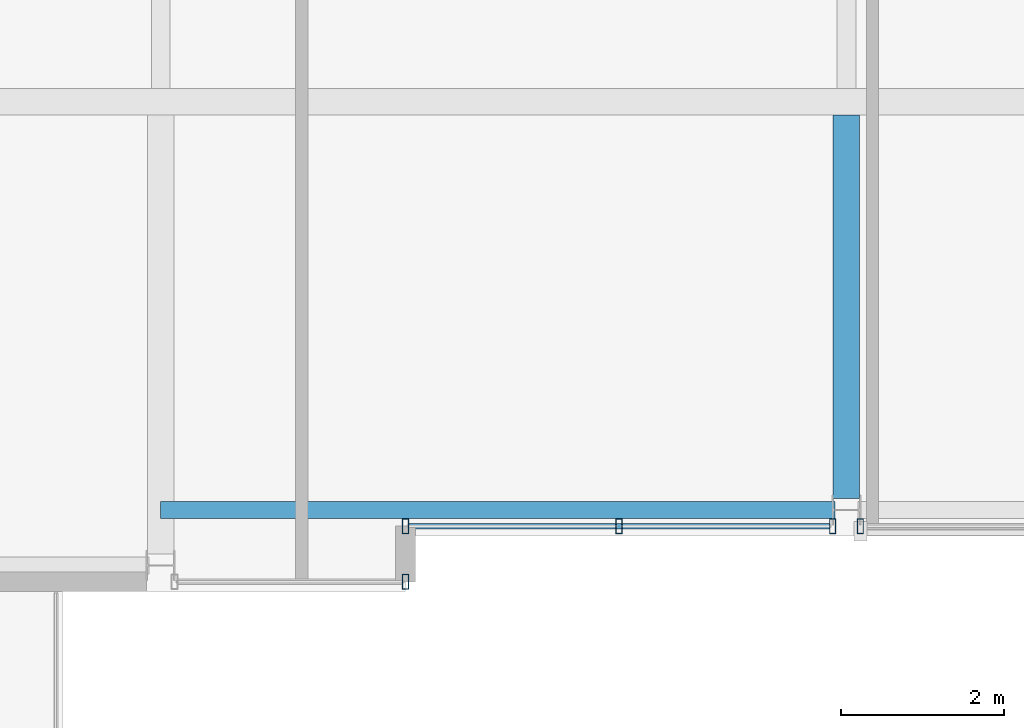
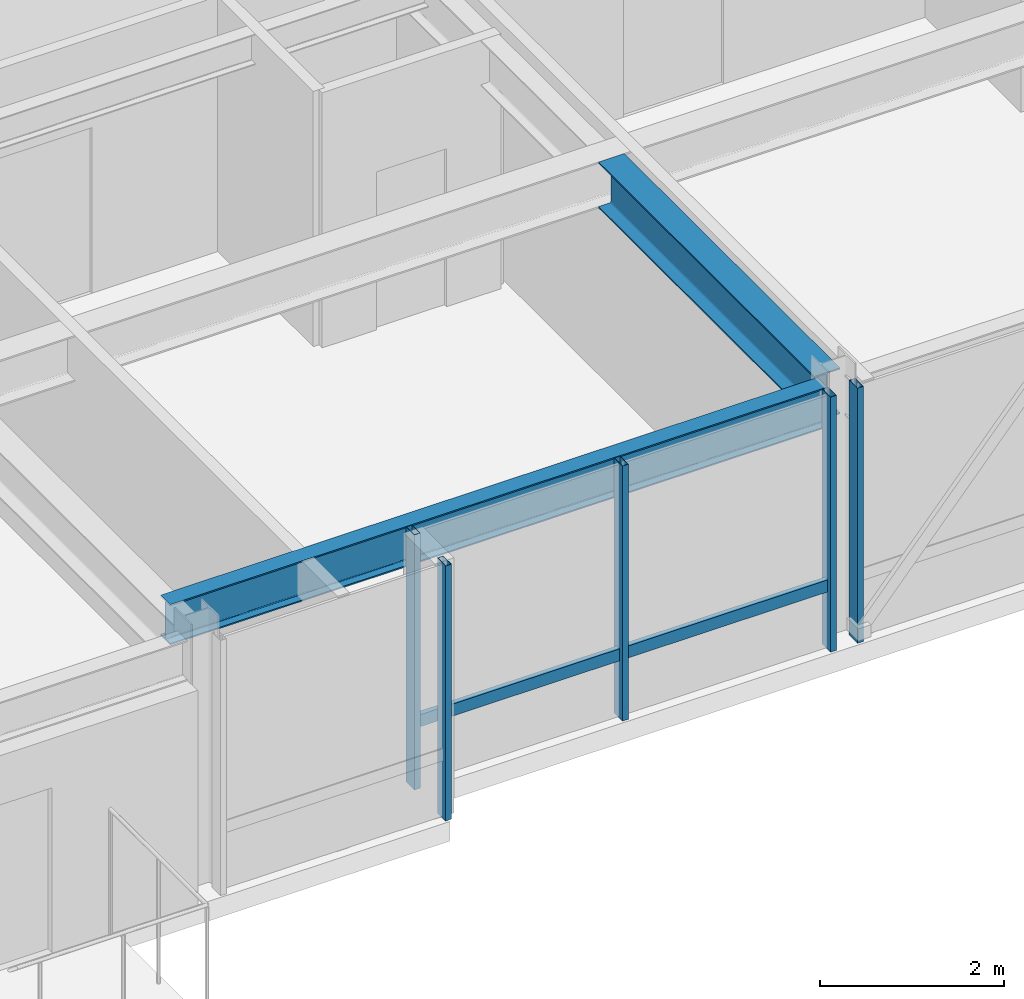
# One storey, part 7 of 34: 6 members, 2 beams, 3 elements without a shape of their own.
"""IFC4 building model written with IfcOpenShell, lengths in metres."""

import ifcopenshell
import ifcopenshell.guid

model = None  # the IFC model being written
_history = None  # IfcOwnerHistory: only IFC2X3 demands one
_inside = {}  # id of a spatial element -> (the spatial element, [elements in it])
_under = {}  # id of a project, library or spatial element -> (it, [spatial elements below it])
_declared = {}  # id of a project -> (the project, [libraries it declares])
_typed = {}  # id of a type object -> (the type object, [elements of that type])
_made_of = {}  # id of a material, layer set ... -> (it, [elements and type objects made of it])


def new_model(schema):
    """Start an empty IFC model of exactly this schema.

    Asked for "IFC4X3", IfcOpenShell would pick the latest addendum, in which some entities
    have other attributes; the version numbers below select the first issue.
    IFC2X3 requires an IfcOwnerHistory on every rooted entity: one is made here for all.
    """
    global model, _history
    if schema == "IFC4X3":
        model = ifcopenshell.file(schema_version=(4, 3, 0, 0))
    else:
        model = ifcopenshell.file(schema=schema)
    _inside.clear()
    _under.clear()
    _declared.clear()
    _typed.clear()
    _made_of.clear()
    _history = None
    if model.schema == "IFC2X3":
        org = make("IfcOrganization", Name="unknown")
        user = make(
            "IfcPersonAndOrganization",
            ThePerson=make("IfcPerson", FamilyName="unknown"),
            TheOrganization=org,
        )
        app = make(
            "IfcApplication",
            ApplicationDeveloper=org,
            Version="unknown",
            ApplicationFullName="unknown",
            ApplicationIdentifier="unknown",
        )
        _history = make(
            "IfcOwnerHistory",
            OwningUser=user,
            OwningApplication=app,
            ChangeAction="ADDED",
            CreationDate=0,
        )
    return model


def make(cls, **values):
    """One entity of the class cls with the attributes given. An attribute that is None is left unset."""
    return model.create_entity(
        cls, **{name: value for name, value in values.items() if value is not None}
    )


def rooted(cls, **values):
    """An entity with a GlobalId (a new one), such as an element, a storey or a relation."""
    return make(cls, GlobalId=ifcopenshell.guid.new(), OwnerHistory=_history, **values)


def si_unit(unit_type, name, prefix=None):
    """IfcSIUnit, for example si_unit("LENGTHUNIT", "METRE", prefix="MILLI")."""
    return make("IfcSIUnit", UnitType=unit_type, Prefix=prefix, Name=name)


def assignment(units):
    """IfcUnitAssignment: the units of a project."""
    return None if units is None else make("IfcUnitAssignment", Units=units)


def point(xyz):
    """IfcCartesianPoint."""
    return None if xyz is None else make("IfcCartesianPoint", Coordinates=xyz)


def direction(xyz):
    """IfcDirection."""
    return None if xyz is None else make("IfcDirection", DirectionRatios=xyz)


def frame(location, z_axis=None, x_axis=None):
    """IfcAxis2Placement3D, a coordinate frame: its origin and axes. An axis left out is left unset."""
    return make(
        "IfcAxis2Placement3D",
        Location=point(location),
        Axis=direction(z_axis),
        RefDirection=direction(x_axis),
    )


def frame_2d(location, x_axis=None):
    """IfcAxis2Placement2D, a coordinate frame in the plane: its origin and x axis."""
    return make(
        "IfcAxis2Placement2D", Location=point(location), RefDirection=direction(x_axis)
    )


def origin():
    """The frame at (0, 0, 0) with its axes left unset."""
    return frame((0.0, 0.0, 0.0))


def origin_2d():
    """The frame at (0, 0) in the plane with its x axis left unset."""
    return frame_2d((0.0, 0.0))


def place(relative_to, where):
    """IfcLocalPlacement: puts the frame where relative to a parent placement (None: the world)."""
    return make(
        "IfcLocalPlacement", PlacementRelTo=relative_to, RelativePlacement=where
    )


def context(
    kind, dimensions, precision=None, world=None, true_north=None, identifier=None
):
    """IfcGeometricRepresentationContext, for example the 3D "Model" context."""
    return make(
        "IfcGeometricRepresentationContext",
        ContextIdentifier=identifier,
        ContextType=kind,
        CoordinateSpaceDimension=dimensions,
        Precision=precision,
        WorldCoordinateSystem=world,
        TrueNorth=true_north,
    )


def subcontext(parent, identifier, kind, view, scale=None):
    """IfcGeometricRepresentationSubContext, for example "Body" below "Model"."""
    return make(
        "IfcGeometricRepresentationSubContext",
        ContextIdentifier=identifier,
        ContextType=kind,
        ParentContext=parent,
        TargetScale=scale,
        TargetView=view,
    )


def project(units=None, contexts=None):
    """IfcProject with its units and contexts."""
    return rooted(
        "IfcProject",
        Name="project",
        RepresentationContexts=contexts,
        UnitsInContext=assignment(units),
    )


def spatial(cls, under=None, at=None, **own):
    """A site, building, storey or space (cls), placed at a placement, below another one or the project."""
    s = rooted(cls, ObjectPlacement=at, **own)
    if under is not None:
        _under.setdefault(under.id(), (under, []))[1].append(s)
    return s


def profile(cls, at=None, kind="AREA", **sizes):
    """A parametric profile (cls). Its sizes go by their IFC names, for example OverallWidth=200.0."""
    return make(cls, ProfileType=kind, Position=at, **sizes)


def hollow_rectangle(**sizes):
    """IfcRectangleHollowProfileDef."""
    return profile("IfcRectangleHollowProfileDef", **sizes)


def i_section(**sizes):
    """IfcIShapeProfileDef."""
    return profile("IfcIShapeProfileDef", **sizes)


def extrude(swept, where, along, depth):
    """IfcExtrudedAreaSolid: the profile swept, set in the frame where, extruded along a direction by depth."""
    return make(
        "IfcExtrudedAreaSolid",
        SweptArea=swept,
        Position=where,
        ExtrudedDirection=direction(along),
        Depth=depth,
    )


def shape(context_of_items, identifier, shape_type, items):
    """IfcShapeRepresentation: the items that make up one representation, for example the "Body"."""
    return make(
        "IfcShapeRepresentation",
        ContextOfItems=context_of_items,
        RepresentationIdentifier=identifier,
        RepresentationType=shape_type,
        Items=items,
    )


def material(Name=None, Category=None):
    """IfcMaterial."""
    return make("IfcMaterial", Name=Name, Category=Category)


def layer(
    of_material, thickness, ventilated=None, Name=None, Category=None, Priority=None
):
    """IfcMaterialLayer: one layer of a wall or slab, of a material (None: an air gap)."""
    return make(
        "IfcMaterialLayer",
        Material=of_material,
        LayerThickness=thickness,
        IsVentilated=ventilated,
        Name=Name,
        Category=Category,
        Priority=Priority,
    )


def layer_set(layers, Name=None):
    """IfcMaterialLayerSet."""
    return make("IfcMaterialLayerSet", MaterialLayers=layers, LayerSetName=Name)


def material_profile(
    of_material, cross_section, Name=None, Category=None, Priority=None
):
    """IfcMaterialProfile: a cross section and its material."""
    return make(
        "IfcMaterialProfile",
        Name=Name,
        Material=of_material,
        Profile=cross_section,
        Priority=Priority,
        Category=Category,
    )


def profile_set(profiles, Name=None, composite=None):
    """IfcMaterialProfileSet."""
    return make(
        "IfcMaterialProfileSet",
        Name=Name,
        MaterialProfiles=profiles,
        CompositeProfile=composite,
    )


def made_of(thing, what):
    """Note that an element or type object is made of a material, layer set ...; save() writes the relation."""
    if what is not None:
        _made_of.setdefault(what.id(), (what, []))[1].append(thing)
    return thing


def type_object(cls, material=None, **own):
    """A type object (cls), such as IfcWallType, which elements share."""
    return made_of(rooted(cls, **own), material)


def element(
    cls,
    number,
    at=None,
    inside=None,
    cuts=None,
    type_object=None,
    material=None,
    context=None,
    identifier="Body",
    shape_type=None,
    held_by="IfcProductDefinitionShape",
    body=None,
    shapes=None,
    **own,
):
    """One element of the class cls, such as IfcWall. Its Tag is "e" and its number.

    at: its placement. inside: the storey or other place that contains it. cuts: it is an
    opening in that element (IfcRelVoidsElement). A single representation is given by context,
    identifier, shape_type and body (its items); several are given by shapes. held_by: the class
    of the entity that holds the representations. save() writes the other relations.
    """
    e = rooted(cls, Tag="e%d" % number, ObjectPlacement=at, **own)
    if body is not None:
        shapes = [shape(context, identifier, shape_type, body)]
    if shapes is not None:
        e.Representation = make(held_by, Representations=shapes)
    if inside is not None:
        _inside.setdefault(inside.id(), (inside, []))[1].append(e)
    if cuts is not None:
        rooted(
            "IfcRelVoidsElement", RelatingBuildingElement=cuts, RelatedOpeningElement=e
        )
    if type_object is not None:
        _typed.setdefault(type_object.id(), (type_object, []))[1].append(e)
    return made_of(e, material)


def aggregate(whole, parts):
    """IfcRelAggregates: a whole, such as a stair, and the parts it consists of."""
    return rooted("IfcRelAggregates", RelatingObject=whole, RelatedObjects=parts)


def save(model, path):
    """Write the relations noted so far, then the file.

    IfcRelAggregates (storeys below a building ...), IfcRelContainedInSpatialStructure (elements
    in a storey), IfcRelDefinesByType, IfcRelAssociatesMaterial and IfcRelDeclares: one each for
    every whole, place, type object, material and project.
    """
    for whole, parts in _under.values():
        aggregate(whole, parts)
    for where, things in _inside.values():
        rooted(
            "IfcRelContainedInSpatialStructure",
            RelatedElements=things,
            RelatingStructure=where,
        )
    for kind, things in _typed.values():
        rooted("IfcRelDefinesByType", RelatedObjects=things, RelatingType=kind)
    for what, things in _made_of.values():
        rooted("IfcRelAssociatesMaterial", RelatedObjects=things, RelatingMaterial=what)
    for by, libraries in _declared.values():
        rooted("IfcRelDeclares", RelatingContext=by, RelatedDefinitions=libraries)
    model.write(path)


model = new_model("IFC4")

# Units and contexts
model_context = context("Model", 3, precision=1e-05, world=origin(), true_north=direction((0.0, 1.0)))
body_context = subcontext(model_context, "Body", "Model", "MODEL_VIEW")
ifc_project = project(units=[si_unit("LENGTHUNIT", "METRE"), si_unit("AREAUNIT", "SQUARE_METRE"), si_unit("VOLUMEUNIT", "CUBIC_METRE"), si_unit("PLANEANGLEUNIT", "RADIAN"), si_unit("MASSUNIT", "GRAM", prefix="KILO")], contexts=[model_context])

# Site, building, storey
site_placement = place(None, origin())
site = spatial("IfcSite", under=ifc_project, at=site_placement, CompositionType="ELEMENT")
building_placement = place(site_placement, origin())
building = spatial("IfcBuilding", under=site, at=building_placement, Name="Drelvath Grand Hotel", CompositionType="ELEMENT")
storey_placement = place(building_placement, frame((0.0, 0.0, 286.89990234375)))
storey = spatial("IfcBuildingStorey", under=building, at=storey_placement, Name="L75", CompositionType="ELEMENT", Elevation=286.89990234375)

# Curtain wall, members
ifc_material_1 = material(Name="Platinum-Mist Anodised Aluminium Frame", Category="aluminium")
ifc_layer = layer(ifc_material_1, 0.199951171875)
ifc_layer_set = layer_set([ifc_layer], Name="Platinum-Mist Anodised Aluminium Frame")
curtain_wall_type = type_object("IfcCurtainWallType", Name="Stick Curtain Wall CW-05 Platinum Mist High-Rise", PredefinedType="NOTDEFINED", material=ifc_layer_set)
curtain_wall_1_placement = place(storey_placement, origin())
curtain_wall_1 = element("IfcCurtainWall", 1, at=curtain_wall_1_placement, inside=storey, type_object=curtain_wall_type, Name="L75 CW-05 Curtain Wall CW05-L75-SM1", PredefinedType="NOTDEFINED")
ifc_material_profile_1 = material_profile(ifc_material_1, hollow_rectangle(XDim=0.06494140625, YDim=0.159912109375, WallThickness=0.00390625, at=origin_2d()), Name="HSS160X65X4")
ifc_profile_set_1 = profile_set([ifc_material_profile_1], Name="Platinum-Mist Anodised Aluminium Frame")
member_type_1 = type_object("IfcMemberType", Name="Curtain Wall Horizontal Transom CW-05 HSS160X65X4", PredefinedType="USERDEFINED", material=ifc_profile_set_1)
member_1_placement = place(storey_placement, frame((-0.210205078125, 5.60009765625, 0.84765625), z_axis=(-1.0, 0.0, 0.0), x_axis=(0.0, -1.0, 0.0)))
member_1 = element("IfcMember", 2, at=member_1_placement, type_object=member_type_1, Name="CW05-L75-SM1 Sill Transom", ObjectType="TRANSOM", PredefinedType="USERDEFINED", context=body_context, shape_type="SweptSolid", body=[
    extrude(hollow_rectangle(XDim=0.06494140625, YDim=0.159912109375, WallThickness=0.00390625, at=origin_2d()), origin(), (0.0, 0.0, 1.0), 5.14990234375),
])
ifc_material_profile_2 = material_profile(ifc_material_1, hollow_rectangle(XDim=0.074951171875, YDim=0.179931640625, WallThickness=0.0048828125, at=origin_2d()), Name="HSS180X75X5")
ifc_profile_set_2 = profile_set([ifc_material_profile_2], Name="Platinum-Mist Anodised Aluminium Frame")
member_type_2 = type_object("IfcMemberType", Name="Curtain Wall Vertical Mullion CW-05 HSS180X75X5", PredefinedType="MULLION", material=ifc_profile_set_2)
member_2_placement = place(storey_placement, frame((-0.170166015625, 5.60009765625, 0.0), z_axis=(0.0, 0.0, 1.0), x_axis=(1.0, 0.0, 0.0)))
member_2 = element("IfcMember", 3, at=member_2_placement, type_object=member_type_2, Name="CW05-L75-SM1 Mullion 1", PredefinedType="MULLION", context=body_context, shape_type="SweptSolid", body=[
    extrude(hollow_rectangle(XDim=0.074951171875, YDim=0.179931640625, WallThickness=0.0048828125, at=origin_2d()), origin(), (0.0, 0.0, 1.0), 3.39013671875),
])
member_3_placement = place(storey_placement, frame((-2.78515625, 5.60009765625, 0.0), z_axis=(0.0, 0.0, 1.0), x_axis=(1.0, 0.0, 0.0)))
member_3 = element("IfcMember", 4, at=member_3_placement, type_object=member_type_2, Name="CW05-L75-SM1 Mullion 2", PredefinedType="MULLION", context=body_context, shape_type="SweptSolid", body=[
    extrude(hollow_rectangle(XDim=0.074951171875, YDim=0.179931640625, WallThickness=0.0048828125, at=origin_2d()), origin(), (0.0, 0.0, 1.0), 3.39013671875),
])
member_4_placement = place(storey_placement, frame((-5.39990234375, 5.60009765625, 0.0), z_axis=(0.0, 0.0, 1.0), x_axis=(1.0, 0.0, 0.0)))
member_4 = element("IfcMember", 5, at=member_4_placement, type_object=member_type_2, Name="CW05-L75-SM1 Mullion 3", PredefinedType="MULLION", context=body_context, shape_type="SweptSolid", body=[
    extrude(hollow_rectangle(XDim=0.074951171875, YDim=0.179931640625, WallThickness=0.0048828125, at=origin_2d()), origin(), (0.0, 0.0, 1.0), 3.39013671875),
])
aggregate(curtain_wall_1, [member_2, member_3, member_4, member_1])

# Curtain wall, member
curtain_wall_2_placement = place(storey_placement, origin())
curtain_wall_2 = element("IfcCurtainWall", 6, at=curtain_wall_2_placement, inside=storey, type_object=curtain_wall_type, Name="L75 CW-05 Curtain Wall CW05-L75-SM2", PredefinedType="NOTDEFINED")
member_5_placement = place(storey_placement, frame((0.170166015625, 5.60009765625, 0.0), z_axis=(0.0, 0.0, 1.0), x_axis=(1.0, 0.0, 0.0)))
member_5 = element("IfcMember", 7, at=member_5_placement, type_object=member_type_2, Name="CW05-L75-SM2 Mullion 3", PredefinedType="MULLION", context=body_context, shape_type="SweptSolid", body=[
    extrude(hollow_rectangle(XDim=0.074951171875, YDim=0.179931640625, WallThickness=0.0048828125, at=origin_2d()), origin(), (0.0, 0.0, 1.0), 3.39013671875),
])
aggregate(curtain_wall_2, [member_5])

curtain_wall_3_placement = place(storey_placement, origin())
curtain_wall_3 = element("IfcCurtainWall", 8, at=curtain_wall_3_placement, inside=storey, type_object=curtain_wall_type, Name="L75 CW-05 Curtain Wall CW05-L75-SW2", PredefinedType="NOTDEFINED")
member_6_placement = place(storey_placement, frame((-5.39990234375, 4.919921875, 0.0), z_axis=(0.0, 0.0, 1.0), x_axis=(1.0, 0.0, 0.0)))
member_6 = element("IfcMember", 9, at=member_6_placement, type_object=member_type_2, Name="CW05-L75-SW2 Mullion 1", PredefinedType="MULLION", context=body_context, shape_type="SweptSolid", body=[
    extrude(hollow_rectangle(XDim=0.074951171875, YDim=0.179931640625, WallThickness=0.0048828125, at=origin_2d()), origin(), (0.0, 0.0, 1.0), 3.39013671875),
])
aggregate(curtain_wall_3, [member_6])

# Beams
ifc_material_2 = material(Name="Steel ASTM A992 Gr 50", Category="steel")
ifc_material_profile_3 = material_profile(ifc_material_2, i_section(OverallWidth=0.210205078125, OverallDepth=0.53662109375, WebThickness=0.010986328125, FlangeThickness=0.017333984375, FilletRadius=0.01806640625, at=origin_2d()), Name="W21X68")
ifc_profile_set_3 = profile_set([ifc_material_profile_3], Name="Steel ASTM A992 Gr 50")
beam_type_1 = type_object("IfcBeamType", Name="Perimeter Spandrel Beam W21X68", PredefinedType="SPANDREL", material=ifc_profile_set_3)
beam_1_placement = place(storey_placement, frame((-8.39990234375, 5.800048828125, 3.121826171875), z_axis=(1.0, 0.0, 0.0), x_axis=(0.0, 1.0, 0.0)))
element("IfcBeam", 10, at=beam_1_placement, inside=storey, type_object=beam_type_1, Name="L75 Spandrel South Mid W", PredefinedType="SPANDREL", context=body_context, shape_type="SweptSolid", body=[
    extrude(i_section(OverallWidth=0.210205078125, OverallDepth=0.53662109375, WebThickness=0.010986328125, FlangeThickness=0.017333984375, FilletRadius=0.01806640625, at=origin_2d()), origin(), (0.0, 0.0, 1.0), 8.260009765625),
])
ifc_material_profile_4 = material_profile(ifc_material_2, i_section(OverallWidth=0.323974609375, OverallDepth=0.611083984375, WebThickness=0.0126953125, FlangeThickness=0.01904296875, FilletRadius=0.02197265625, at=origin_2d()), Name="W24X104")
ifc_profile_set_4 = profile_set([ifc_material_profile_4], Name="Steel ASTM A992 Gr 50")
beam_type_2 = type_object("IfcBeamType", Name="Primary Floor Girder W24X104", PredefinedType="BEAM", material=ifc_profile_set_4)
beam_2_placement = place(storey_placement, frame((0.0, 5.93994140625, 3.084716796875), z_axis=(0.0, 1.0, 0.0), x_axis=(-1.0, 0.0, 0.0)))
element("IfcBeam", 11, at=beam_2_placement, inside=storey, type_object=beam_type_2, Name="L75 South Wing Girder 5", PredefinedType="BEAM", context=body_context, shape_type="SweptSolid", body=[
    extrude(i_section(OverallWidth=0.323974609375, OverallDepth=0.611083984375, WebThickness=0.0126953125, FlangeThickness=0.01904296875, FilletRadius=0.02197265625, at=origin_2d()), origin(), (0.0, 0.0, 1.0), 4.697998046875),
])

save(model, "model.ifc")
